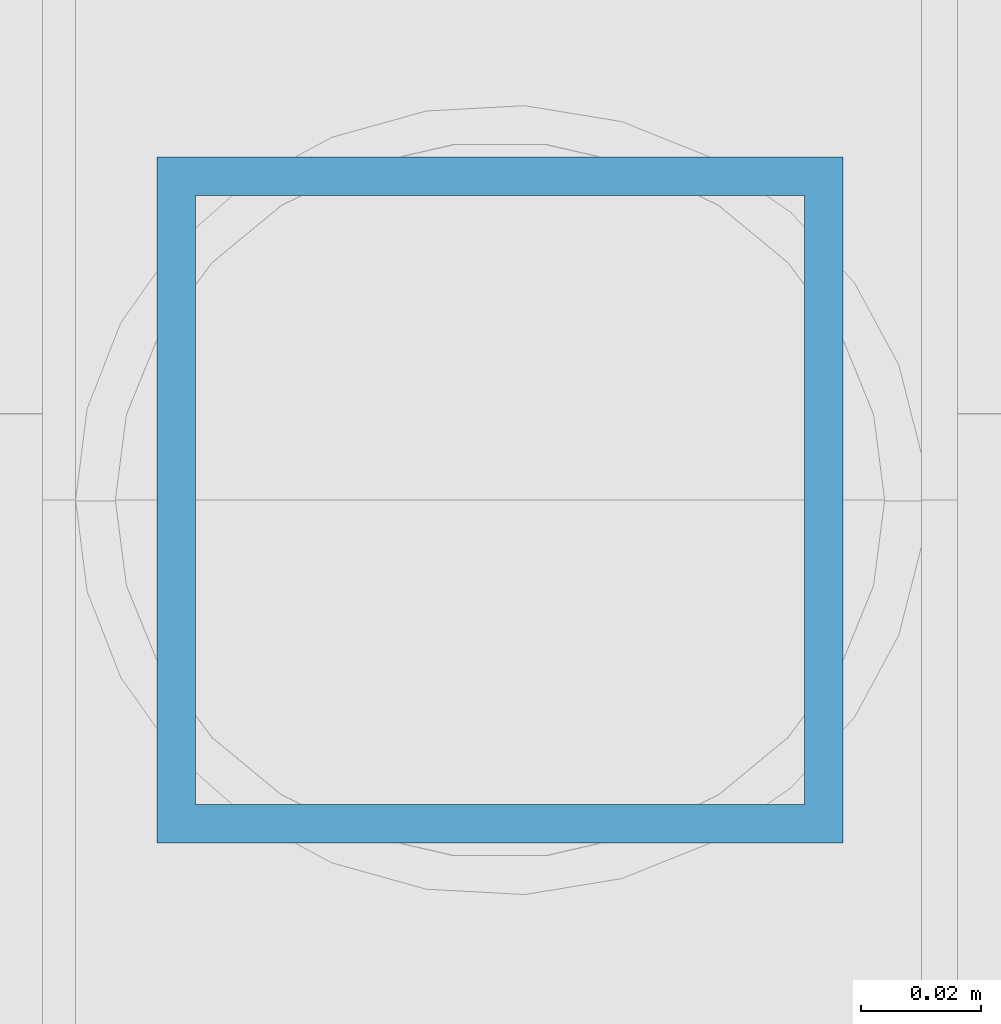
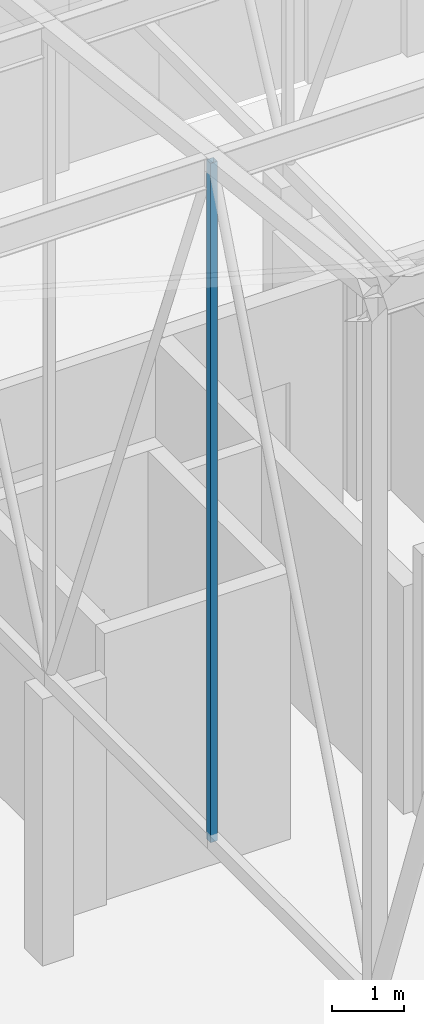
# One storey, part 187 of 500: 1 member.
"""IFC4 building model written with IfcOpenShell, lengths in metres."""

from ifc_helpers import new_model, si_unit, direction, frame, origin, origin_2d, place, context, subcontext, project, spatial, hollow_rectangle, extrude, material, material_profile, profile_set, type_object, element, save


model = new_model("IFC4")

# Units and contexts
model_context = context("Model", 3, precision=1e-05, world=origin(), true_north=direction((0.0, 1.0)))
body_context = subcontext(model_context, "Body", "Model", "MODEL_VIEW")
ifc_project = project(units=[si_unit("LENGTHUNIT", "METRE"), si_unit("AREAUNIT", "SQUARE_METRE"), si_unit("VOLUMEUNIT", "CUBIC_METRE"), si_unit("PLANEANGLEUNIT", "RADIAN"), si_unit("MASSUNIT", "GRAM", prefix="KILO")], contexts=[model_context])

# Site, building, storey
site_placement = place(None, origin())
site = spatial("IfcSite", under=ifc_project, at=site_placement, CompositionType="ELEMENT")
building_placement = place(site_placement, origin())
building = spatial("IfcBuilding", under=site, at=building_placement, Name="Shirokan Park Arena", CompositionType="ELEMENT")
storey_placement = place(building_placement, frame((0.0, 0.0, 29.1201171875)))
storey = spatial("IfcBuildingStorey", under=building, at=storey_placement, Name="L06", CompositionType="ELEMENT", Elevation=29.1201171875)

# Member
ifc_material = material(Name="Steel ASTM A500 Grade C", Category="steel")
ifc_material_profile = material_profile(ifc_material, hollow_rectangle(XDim=0.114013671875, YDim=0.114013671875, WallThickness=0.00634765625, at=origin_2d()), Name="HSS114.3X114.3X6.4")
ifc_profile_set = profile_set([ifc_material_profile], Name="Steel ASTM A500 Grade C")
member_type = type_object("IfcMemberType", Name="Truss post HSS114.3X114.3X6.4", PredefinedType="POST", material=ifc_profile_set)
member_placement = place(storey_placement, frame((18.199951171875, 77.35009765625, 4.677001953125), z_axis=(0.0, 0.0, 1.0), x_axis=(1.0, 0.0, 0.0)))
element("IfcMember", 1, at=member_placement, inside=storey, type_object=member_type, Name="Truss T03 post 20", PredefinedType="POST", context=body_context, shape_type="SweptSolid", body=[
    extrude(hollow_rectangle(XDim=0.114013671875, YDim=0.114013671875, WallThickness=0.00634765625, at=origin_2d()), origin(), (0.0, 0.0, 1.0), 11.5859375),
])

save(model, "model.ifc")
